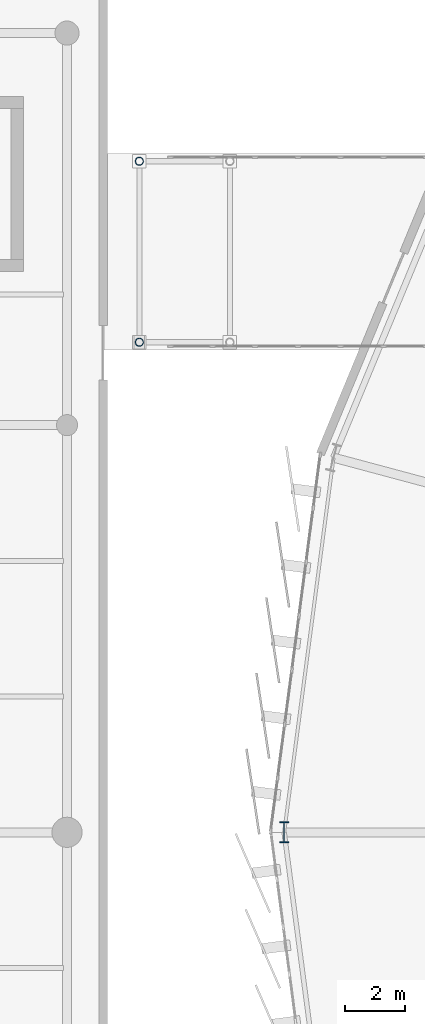
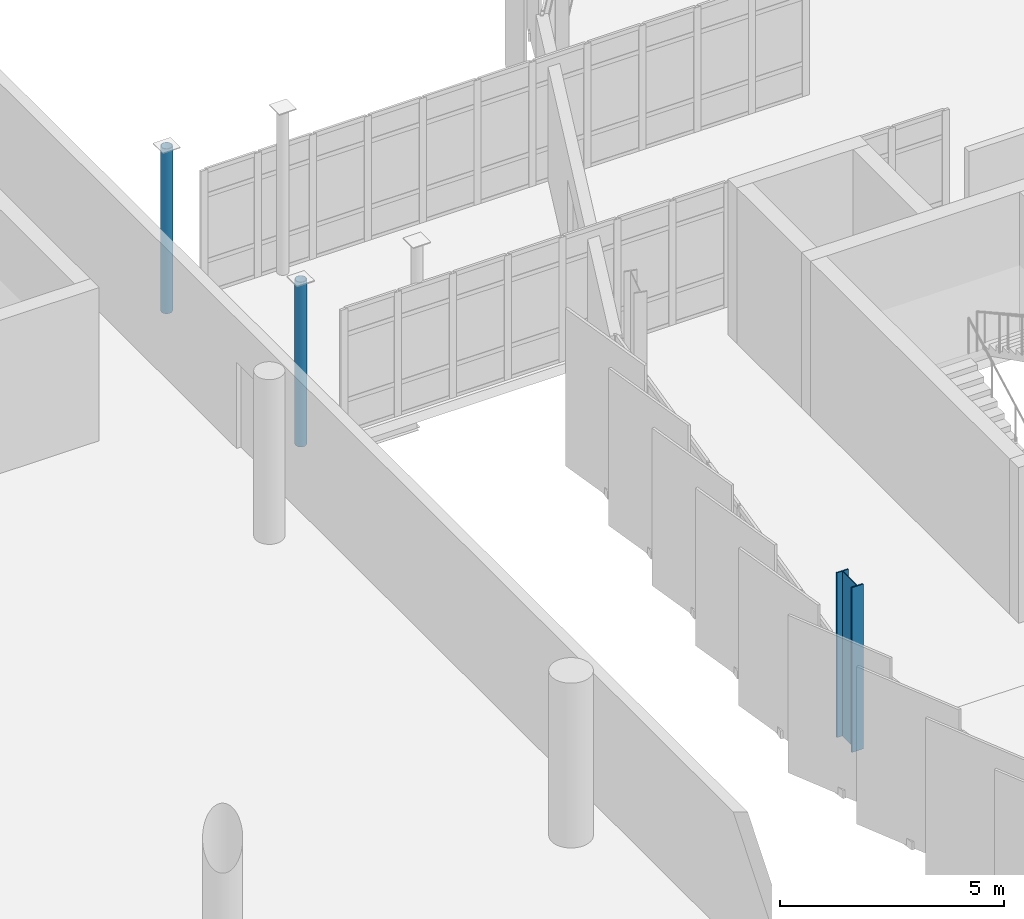
# One storey, part 11 of 125: 3 columns.
"""IFC4 building model written with IfcOpenShell, lengths in metres."""

from ifc_helpers import new_model, si_unit, direction, frame, origin, origin_2d, place, context, subcontext, project, spatial, hollow_circle, i_section, extrude, material, material_profile, profile_set, type_object, element, save


model = new_model("IFC4")

# Units and contexts
model_context = context("Model", 3, precision=1e-05, world=origin(), true_north=direction((0.0, 1.0)))
body_context = subcontext(model_context, "Body", "Model", "MODEL_VIEW")
ifc_project = project(units=[si_unit("LENGTHUNIT", "METRE"), si_unit("AREAUNIT", "SQUARE_METRE"), si_unit("VOLUMEUNIT", "CUBIC_METRE"), si_unit("PLANEANGLEUNIT", "RADIAN"), si_unit("MASSUNIT", "GRAM", prefix="KILO")], contexts=[model_context])

# Site, building, storey
site_placement = place(None, origin())
site = spatial("IfcSite", under=ifc_project, at=site_placement, CompositionType="ELEMENT")
building_placement = place(site_placement, origin())
building = spatial("IfcBuilding", under=site, at=building_placement, Name="Sohan Crest Arena", CompositionType="ELEMENT")
storey_placement = place(building_placement, frame((0.0, 0.0, 9.0)))
storey = spatial("IfcBuildingStorey", under=building, at=storey_placement, Name="L02", CompositionType="ELEMENT", Elevation=9.0)

# Columns
ifc_material = material(Name="Steel S355", Category="steel")
ifc_material_profile_1 = material_profile(ifc_material, i_section(OverallWidth=0.300048828125, OverallDepth=0.699951171875, WebThickness=0.01708984375, FlangeThickness=0.031982421875, at=origin_2d()), Name="HEB 700")
ifc_profile_set_1 = profile_set([ifc_material_profile_1], Name="Steel S355")
column_type_1 = type_object("IfcColumnType", Name="STR-COL-C21", PredefinedType="COLUMN", material=ifc_profile_set_1)
column_placement = place(storey_placement, frame((50.0, 78.0, 0.0), z_axis=(0.0, 0.0, 1.0), x_axis=(1.0, 0.0, 0.0)))
element("IfcColumn", 1, at=column_placement, inside=storey, type_object=column_type_1, Name="Structural column COL-V2O-07-L02", PredefinedType="COLUMN", context=body_context, shape_type="SweptSolid", body=[
    extrude(i_section(OverallWidth=0.300048828125, OverallDepth=0.699951171875, WebThickness=0.01708984375, FlangeThickness=0.031982421875, at=origin_2d()), origin(), (0.0, 0.0, 1.0), 4.5),
])
ifc_material_profile_2 = material_profile(ifc_material, hollow_circle(Radius=0.136474609375, WallThickness=0.012451171875, at=origin_2d()), Name="CHS 273x12.5")
ifc_profile_set_2 = profile_set([ifc_material_profile_2], Name="Steel S355")
column_type_2 = type_object("IfcColumnType", Name="STR-COL-C25", PredefinedType="COLUMN", material=ifc_profile_set_2)
for number, where, z_axis, x_axis, name in (
    (2, (45.199951171875, 94.25, 0.0), (0.0, 0.0, 1.0), (1.0, 0.0, 0.0), "Structural column COL-BC-BR-W2-1-L02"),
    (3, (45.199951171875, 100.25, 0.0), (0.0, 0.0, 1.0), (1.0, 0.0, 0.0), "Structural column COL-BC-BR-W2-3-L02"),
):
    element("IfcColumn", number, at=place(storey_placement, frame(where, z_axis=z_axis, x_axis=x_axis)), inside=storey, type_object=column_type_2, Name=name, PredefinedType="COLUMN", context=body_context, shape_type="SweptSolid", body=[
        extrude(hollow_circle(Radius=0.136474609375, WallThickness=0.012451171875, at=origin_2d()), origin(), (0.0, 0.0, 1.0), 4.5),
    ])

save(model, "model.ifc")
